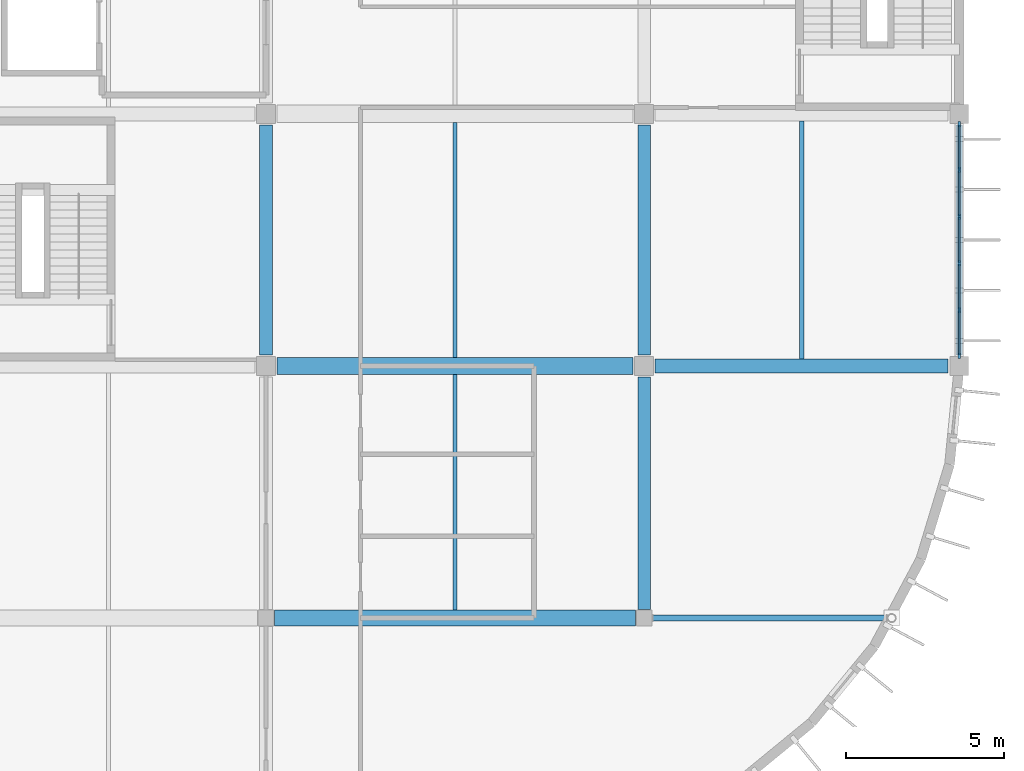
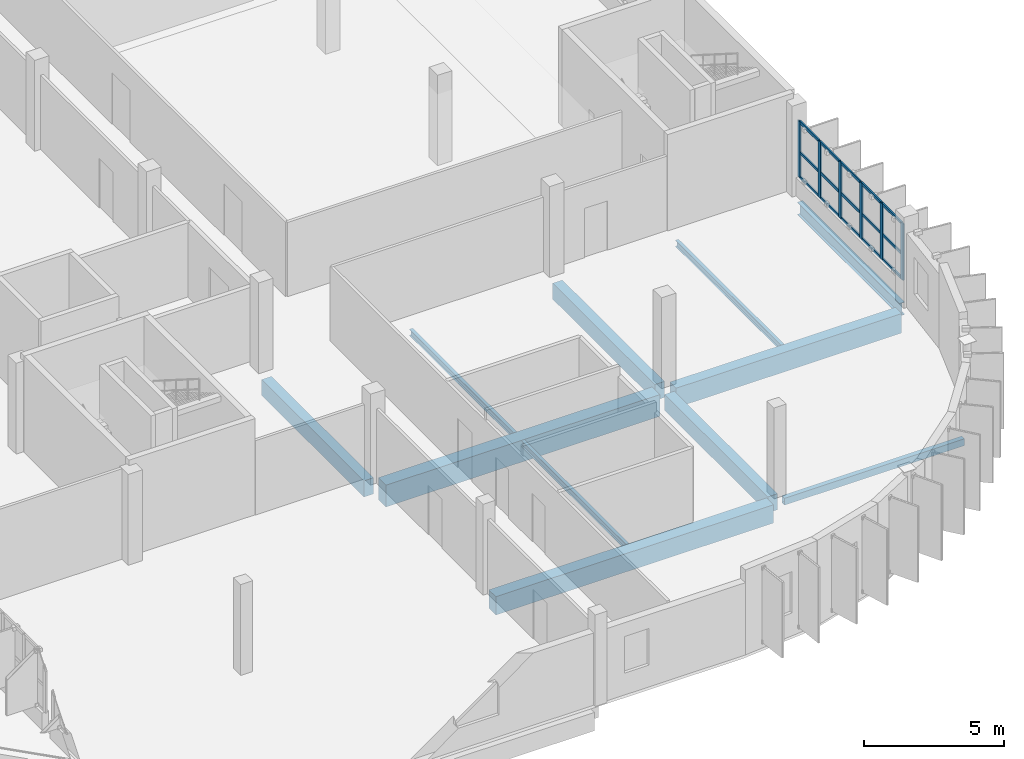
# One storey, part 28 of 66: 21 members, 11 beams, 1 element without a shape of its own.
"""IFC4 building model written with IfcOpenShell, lengths in metres."""

from ifc_helpers import new_model, si_unit, direction, frame, origin, origin_2d, place, context, subcontext, project, spatial, rectangle, hollow_rectangle, i_section, extrude, material, layer, layer_set, material_profile, profile_set, type_object, element, aggregate, save


model = new_model("IFC4")

# Units and contexts
model_context = context("Model", 3, precision=1e-05, world=origin(), true_north=direction((0.0, 1.0)))
body_context = subcontext(model_context, "Body", "Model", "MODEL_VIEW")
ifc_project = project(units=[si_unit("LENGTHUNIT", "METRE"), si_unit("AREAUNIT", "SQUARE_METRE"), si_unit("VOLUMEUNIT", "CUBIC_METRE"), si_unit("PLANEANGLEUNIT", "RADIAN"), si_unit("MASSUNIT", "GRAM", prefix="KILO")], contexts=[model_context])

# Site, building, storey
site_placement = place(None, origin())
site = spatial("IfcSite", under=ifc_project, at=site_placement, CompositionType="ELEMENT")
building_placement = place(site_placement, origin())
building = spatial("IfcBuilding", under=site, at=building_placement, Name="Drelvana Railside Aquatics Centre", CompositionType="ELEMENT")
storey_placement = place(building_placement, frame((0.0, 0.0, 10.199951171875)))
storey = spatial("IfcBuildingStorey", under=building, at=storey_placement, Name="L02", CompositionType="ELEMENT", Elevation=10.199951171875)

# Curtain wall, members
ifc_material_1 = material(Name="Bronze-anodised aluminium curtain wall", Category="aluminium")
ifc_layer = layer(ifc_material_1, 0.175048828125, Name="Bronze-anodised aluminium curtain wall")
ifc_layer_set = layer_set([ifc_layer], Name="Bronze-anodised aluminium curtain wall")
curtain_wall_type = type_object("IfcCurtainWallType", Name="CW-Z6-WING", PredefinedType="NOTDEFINED", material=ifc_layer_set)
curtain_wall_placement = place(storey_placement, origin())
curtain_wall = element("IfcCurtainWall", 1, at=curtain_wall_placement, inside=storey, type_object=curtain_wall_type, Name="Curtain wall CW-06-168", PredefinedType="NOTDEFINED")
ifc_material_2 = material(Name="Bronze-anodised aluminium 6063-T6", Category="aluminium")
ifc_material_profile_1 = material_profile(ifc_material_2, rectangle(XDim=0.06494140625, YDim=0.175048828125, at=origin_2d()), Name="ALU-M 65x175")
ifc_profile_set_1 = profile_set([ifc_material_profile_1], Name="Bronze-anodised aluminium 6063-T6")
member_type_1 = type_object("IfcMemberType", Name="CW-Z6-WING-MUL", PredefinedType="MULLION", material=ifc_profile_set_1)
member_1_placement = place(storey_placement, frame((184.0, 24.326416015625, 0.7939453125), z_axis=(0.0, 0.0, 1.0), x_axis=(-1.0, 0.0, 0.0)))
member_1 = element("IfcMember", 2, at=member_1_placement, type_object=member_type_1, Name="CW-06 mullion 1", PredefinedType="MULLION", context=body_context, shape_type="SweptSolid", body=[
    extrude(rectangle(XDim=0.06494140625, YDim=0.175048828125, at=origin_2d()), origin(), (0.0, 0.0, 1.0), 2.4560546875),
])
member_2_placement = place(storey_placement, frame((184.0, 25.7763671875, 0.7939453125), z_axis=(0.0, 0.0, 1.0), x_axis=(-1.0, 0.0, 0.0)))
member_2 = element("IfcMember", 3, at=member_2_placement, type_object=member_type_1, Name="CW-06 mullion 2", PredefinedType="MULLION", context=body_context, shape_type="SweptSolid", body=[
    extrude(rectangle(XDim=0.06494140625, YDim=0.175048828125, at=origin_2d()), origin(), (0.0, 0.0, 1.0), 2.4560546875),
])
member_3_placement = place(storey_placement, frame((184.0, 27.2587890625, 0.7939453125), z_axis=(0.0, 0.0, 1.0), x_axis=(-1.0, 0.0, 0.0)))
member_3 = element("IfcMember", 4, at=member_3_placement, type_object=member_type_1, Name="CW-06 mullion 3", PredefinedType="MULLION", context=body_context, shape_type="SweptSolid", body=[
    extrude(rectangle(XDim=0.06494140625, YDim=0.175048828125, at=origin_2d()), origin(), (0.0, 0.0, 1.0), 2.4560546875),
])
member_4_placement = place(storey_placement, frame((184.0, 28.7412109375, 0.7939453125), z_axis=(0.0, 0.0, 1.0), x_axis=(-1.0, 0.0, 0.0)))
member_4 = element("IfcMember", 5, at=member_4_placement, type_object=member_type_1, Name="CW-06 mullion 4", PredefinedType="MULLION", context=body_context, shape_type="SweptSolid", body=[
    extrude(rectangle(XDim=0.06494140625, YDim=0.175048828125, at=origin_2d()), origin(), (0.0, 0.0, 1.0), 2.4560546875),
])
member_5_placement = place(storey_placement, frame((184.0, 30.2236328125, 0.7939453125), z_axis=(0.0, 0.0, 1.0), x_axis=(-1.0, 0.0, 0.0)))
member_5 = element("IfcMember", 6, at=member_5_placement, type_object=member_type_1, Name="CW-06 mullion 5", PredefinedType="MULLION", context=body_context, shape_type="SweptSolid", body=[
    extrude(rectangle(XDim=0.06494140625, YDim=0.175048828125, at=origin_2d()), origin(), (0.0, 0.0, 1.0), 2.4560546875),
])
member_6_placement = place(storey_placement, frame((184.0, 31.673583984375, 0.7939453125), z_axis=(0.0, 0.0, 1.0), x_axis=(-1.0, 0.0, 0.0)))
member_6 = element("IfcMember", 7, at=member_6_placement, type_object=member_type_1, Name="CW-06 mullion 6", PredefinedType="MULLION", context=body_context, shape_type="SweptSolid", body=[
    extrude(rectangle(XDim=0.06494140625, YDim=0.175048828125, at=origin_2d()), origin(), (0.0, 0.0, 1.0), 2.4560546875),
])
ifc_material_profile_2 = material_profile(ifc_material_2, rectangle(XDim=0.1201171875, YDim=0.06005859375, at=origin_2d()), Name="ALU-T 60x120")
ifc_profile_set_2 = profile_set([ifc_material_profile_2], Name="Bronze-anodised aluminium 6063-T6")
member_type_2 = type_object("IfcMemberType", Name="CW-Z6-WING-TRN", PredefinedType="USERDEFINED", material=ifc_profile_set_2)
member_7_placement = place(storey_placement, frame((184.0, 24.35400390625, 0.823974609375), z_axis=(0.0, 1.0, 0.0), x_axis=(0.0, 0.0, 1.0)))
member_7 = element("IfcMember", 8, at=member_7_placement, type_object=member_type_2, Name="CW-06 transom 1.1", ObjectType="TRANSOM", PredefinedType="USERDEFINED", context=body_context, shape_type="SweptSolid", body=[
    extrude(rectangle(XDim=0.1201171875, YDim=0.06005859375, at=origin_2d()), origin(), (0.0, 0.0, 1.0), 1.394775390625),
])
member_8_placement = place(storey_placement, frame((184.0, 24.35400390625, 1.899169921875), z_axis=(0.0, 1.0, 0.0), x_axis=(0.0, 0.0, 1.0)))
member_8 = element("IfcMember", 9, at=member_8_placement, type_object=member_type_2, Name="CW-06 transom 1.2", ObjectType="TRANSOM", PredefinedType="USERDEFINED", context=body_context, shape_type="SweptSolid", body=[
    extrude(rectangle(XDim=0.1201171875, YDim=0.06005859375, at=origin_2d()), origin(), (0.0, 0.0, 1.0), 1.394775390625),
])
member_9_placement = place(storey_placement, frame((184.0, 24.35400390625, 3.219970703125), z_axis=(0.0, 1.0, 0.0), x_axis=(0.0, 0.0, 1.0)))
member_9 = element("IfcMember", 10, at=member_9_placement, type_object=member_type_2, Name="CW-06 transom 1.3", ObjectType="TRANSOM", PredefinedType="USERDEFINED", context=body_context, shape_type="SweptSolid", body=[
    extrude(rectangle(XDim=0.1201171875, YDim=0.06005859375, at=origin_2d()), origin(), (0.0, 0.0, 1.0), 1.394775390625),
])
member_10_placement = place(storey_placement, frame((184.0, 25.803955078125, 0.823974609375), z_axis=(0.0, 1.0, 0.0), x_axis=(0.0, 0.0, 1.0)))
member_10 = element("IfcMember", 11, at=member_10_placement, type_object=member_type_2, Name="CW-06 transom 2.1", ObjectType="TRANSOM", PredefinedType="USERDEFINED", context=body_context, shape_type="SweptSolid", body=[
    extrude(rectangle(XDim=0.1201171875, YDim=0.06005859375, at=origin_2d()), origin(), (0.0, 0.0, 1.0), 1.42724609375),
])
member_11_placement = place(storey_placement, frame((184.0, 25.803955078125, 1.899169921875), z_axis=(0.0, 1.0, 0.0), x_axis=(0.0, 0.0, 1.0)))
member_11 = element("IfcMember", 12, at=member_11_placement, type_object=member_type_2, Name="CW-06 transom 2.2", ObjectType="TRANSOM", PredefinedType="USERDEFINED", context=body_context, shape_type="SweptSolid", body=[
    extrude(rectangle(XDim=0.1201171875, YDim=0.06005859375, at=origin_2d()), origin(), (0.0, 0.0, 1.0), 1.42724609375),
])
member_12_placement = place(storey_placement, frame((184.0, 25.803955078125, 3.219970703125), z_axis=(0.0, 1.0, 0.0), x_axis=(0.0, 0.0, 1.0)))
member_12 = element("IfcMember", 13, at=member_12_placement, type_object=member_type_2, Name="CW-06 transom 2.3", ObjectType="TRANSOM", PredefinedType="USERDEFINED", context=body_context, shape_type="SweptSolid", body=[
    extrude(rectangle(XDim=0.1201171875, YDim=0.06005859375, at=origin_2d()), origin(), (0.0, 0.0, 1.0), 1.42724609375),
])
member_13_placement = place(storey_placement, frame((184.0, 27.286376953125, 0.823974609375), z_axis=(0.0, 1.0, 0.0), x_axis=(0.0, 0.0, 1.0)))
member_13 = element("IfcMember", 14, at=member_13_placement, type_object=member_type_2, Name="CW-06 transom 3.1", ObjectType="TRANSOM", PredefinedType="USERDEFINED", context=body_context, shape_type="SweptSolid", body=[
    extrude(rectangle(XDim=0.1201171875, YDim=0.06005859375, at=origin_2d()), origin(), (0.0, 0.0, 1.0), 1.42724609375),
])
member_14_placement = place(storey_placement, frame((184.0, 27.286376953125, 1.899169921875), z_axis=(0.0, 1.0, 0.0), x_axis=(0.0, 0.0, 1.0)))
member_14 = element("IfcMember", 15, at=member_14_placement, type_object=member_type_2, Name="CW-06 transom 3.2", ObjectType="TRANSOM", PredefinedType="USERDEFINED", context=body_context, shape_type="SweptSolid", body=[
    extrude(rectangle(XDim=0.1201171875, YDim=0.06005859375, at=origin_2d()), origin(), (0.0, 0.0, 1.0), 1.42724609375),
])
member_15_placement = place(storey_placement, frame((184.0, 27.286376953125, 3.219970703125), z_axis=(0.0, 1.0, 0.0), x_axis=(0.0, 0.0, 1.0)))
member_15 = element("IfcMember", 16, at=member_15_placement, type_object=member_type_2, Name="CW-06 transom 3.3", ObjectType="TRANSOM", PredefinedType="USERDEFINED", context=body_context, shape_type="SweptSolid", body=[
    extrude(rectangle(XDim=0.1201171875, YDim=0.06005859375, at=origin_2d()), origin(), (0.0, 0.0, 1.0), 1.42724609375),
])
member_16_placement = place(storey_placement, frame((184.0, 28.768798828125, 0.823974609375), z_axis=(0.0, 1.0, 0.0), x_axis=(0.0, 0.0, 1.0)))
member_16 = element("IfcMember", 17, at=member_16_placement, type_object=member_type_2, Name="CW-06 transom 4.1", ObjectType="TRANSOM", PredefinedType="USERDEFINED", context=body_context, shape_type="SweptSolid", body=[
    extrude(rectangle(XDim=0.1201171875, YDim=0.06005859375, at=origin_2d()), origin(), (0.0, 0.0, 1.0), 1.42724609375),
])
member_17_placement = place(storey_placement, frame((184.0, 28.768798828125, 1.899169921875), z_axis=(0.0, 1.0, 0.0), x_axis=(0.0, 0.0, 1.0)))
member_17 = element("IfcMember", 18, at=member_17_placement, type_object=member_type_2, Name="CW-06 transom 4.2", ObjectType="TRANSOM", PredefinedType="USERDEFINED", context=body_context, shape_type="SweptSolid", body=[
    extrude(rectangle(XDim=0.1201171875, YDim=0.06005859375, at=origin_2d()), origin(), (0.0, 0.0, 1.0), 1.42724609375),
])
member_18_placement = place(storey_placement, frame((184.0, 28.768798828125, 3.219970703125), z_axis=(0.0, 1.0, 0.0), x_axis=(0.0, 0.0, 1.0)))
member_18 = element("IfcMember", 19, at=member_18_placement, type_object=member_type_2, Name="CW-06 transom 4.3", ObjectType="TRANSOM", PredefinedType="USERDEFINED", context=body_context, shape_type="SweptSolid", body=[
    extrude(rectangle(XDim=0.1201171875, YDim=0.06005859375, at=origin_2d()), origin(), (0.0, 0.0, 1.0), 1.42724609375),
])
member_19_placement = place(storey_placement, frame((184.0, 30.251220703125, 0.823974609375), z_axis=(0.0, 1.0, 0.0), x_axis=(0.0, 0.0, 1.0)))
member_19 = element("IfcMember", 20, at=member_19_placement, type_object=member_type_2, Name="CW-06 transom 5.1", ObjectType="TRANSOM", PredefinedType="USERDEFINED", context=body_context, shape_type="SweptSolid", body=[
    extrude(rectangle(XDim=0.1201171875, YDim=0.06005859375, at=origin_2d()), origin(), (0.0, 0.0, 1.0), 1.394775390625),
])
member_20_placement = place(storey_placement, frame((184.0, 30.251220703125, 1.899169921875), z_axis=(0.0, 1.0, 0.0), x_axis=(0.0, 0.0, 1.0)))
member_20 = element("IfcMember", 21, at=member_20_placement, type_object=member_type_2, Name="CW-06 transom 5.2", ObjectType="TRANSOM", PredefinedType="USERDEFINED", context=body_context, shape_type="SweptSolid", body=[
    extrude(rectangle(XDim=0.1201171875, YDim=0.06005859375, at=origin_2d()), origin(), (0.0, 0.0, 1.0), 1.394775390625),
])
member_21_placement = place(storey_placement, frame((184.0, 30.251220703125, 3.219970703125), z_axis=(0.0, 1.0, 0.0), x_axis=(0.0, 0.0, 1.0)))
member_21 = element("IfcMember", 22, at=member_21_placement, type_object=member_type_2, Name="CW-06 transom 5.3", ObjectType="TRANSOM", PredefinedType="USERDEFINED", context=body_context, shape_type="SweptSolid", body=[
    extrude(rectangle(XDim=0.1201171875, YDim=0.06005859375, at=origin_2d()), origin(), (0.0, 0.0, 1.0), 1.394775390625),
])
aggregate(curtain_wall, [member_1, member_2, member_3, member_4, member_5, member_6, member_7, member_8, member_9, member_10, member_11, member_12, member_13, member_14, member_15, member_16, member_17, member_18, member_19, member_20, member_21])

# Beams
ifc_material_3 = material(Name="Concrete C40/50", Category="concrete")
ifc_material_profile_3 = material_profile(ifc_material_3, rectangle(XDim=0.39990234375, YDim=0.699951171875, at=origin_2d()), Name="RC 400x700")
ifc_profile_set_3 = profile_set([ifc_material_profile_3], Name="Concrete C40/50")
beam_type_1 = type_object("IfcBeamType", Name="STR-BM-BM-03-RC-400x700", PredefinedType="BEAM", material=ifc_profile_set_3)
beam_1_placement = place(storey_placement, frame((162.0, 24.35009765625, -0.599853515625), z_axis=(0.0, 1.0, 0.0), x_axis=(-1.0, 0.0, 0.0)))
element("IfcBeam", 23, at=beam_1_placement, inside=storey, type_object=beam_type_1, Name="Girder BM-03 (L02)", PredefinedType="BEAM", context=body_context, shape_type="SweptSolid", body=[
    extrude(rectangle(XDim=0.39990234375, YDim=0.699951171875, at=origin_2d()), origin(), (0.0, 0.0, 1.0), 7.2998046875),
])
beam_2_placement = place(storey_placement, frame((174.0, 16.27490234375, -0.599853515625), z_axis=(0.0, 1.0, 0.0), x_axis=(-1.0, 0.0, 0.0)))
element("IfcBeam", 24, at=beam_2_placement, inside=storey, type_object=beam_type_1, Name="Girder BM-03 (L02)", PredefinedType="BEAM", context=body_context, shape_type="SweptSolid", body=[
    extrude(rectangle(XDim=0.39990234375, YDim=0.699951171875, at=origin_2d()), origin(), (0.0, 0.0, 1.0), 7.375),
])
beam_3_placement = place(storey_placement, frame((174.0, 24.35009765625, -0.599853515625), z_axis=(0.0, 1.0, 0.0), x_axis=(-1.0, 0.0, 0.0)))
element("IfcBeam", 25, at=beam_3_placement, inside=storey, type_object=beam_type_1, Name="Girder BM-03 (L02)", PredefinedType="BEAM", context=body_context, shape_type="SweptSolid", body=[
    extrude(rectangle(XDim=0.39990234375, YDim=0.699951171875, at=origin_2d()), origin(), (0.0, 0.0, 1.0), 7.2998046875),
])
ifc_material_profile_4 = material_profile(ifc_material_3, rectangle(XDim=0.449951171875, YDim=0.85009765625, at=origin_2d()), Name="RC 450x850")
ifc_profile_set_4 = profile_set([ifc_material_profile_4], Name="Concrete C40/50")
beam_type_2 = type_object("IfcBeamType", Name="STR-BM-BM-05-RC-450x850", PredefinedType="BEAM", material=ifc_profile_set_4)
beam_4_placement = place(storey_placement, frame((174.35009765625, 24.0, -0.675048828125), z_axis=(1.0, 0.0, 0.0), x_axis=(0.0, 1.0, 0.0)))
element("IfcBeam", 26, at=beam_4_placement, inside=storey, type_object=beam_type_2, Name="Girder BM-05 (L02)", PredefinedType="BEAM", context=body_context, shape_type="SweptSolid", body=[
    extrude(rectangle(XDim=0.449951171875, YDim=0.85009765625, at=origin_2d()), origin(), (0.0, 0.0, 1.0), 9.2998046875),
])
ifc_material_profile_5 = material_profile(ifc_material_3, rectangle(XDim=0.5, YDim=0.800048828125, at=origin_2d()), Name="RC 500x800")
ifc_profile_set_5 = profile_set([ifc_material_profile_5], Name="Concrete C40/50")
beam_type_3 = type_object("IfcBeamType", Name="STR-BM-BM-06-RC-500x800", PredefinedType="SPANDREL", material=ifc_profile_set_5)
beam_5_placement = place(storey_placement, frame((162.27490234375, 16.0, -0.64990234375), z_axis=(1.0, 0.0, 0.0), x_axis=(0.0, 1.0, 0.0)))
element("IfcBeam", 27, at=beam_5_placement, inside=storey, type_object=beam_type_3, Name="Girder BM-06 (L02)", PredefinedType="SPANDREL", context=body_context, shape_type="SweptSolid", body=[
    extrude(rectangle(XDim=0.5, YDim=0.800048828125, at=origin_2d()), origin(), (0.0, 0.0, 1.0), 11.4501953125),
])
ifc_material_profile_6 = material_profile(ifc_material_3, rectangle(XDim=0.550048828125, YDim=0.949951171875, at=origin_2d()), Name="RC 550x950")
ifc_profile_set_6 = profile_set([ifc_material_profile_6], Name="Concrete C40/50")
beam_type_4 = type_object("IfcBeamType", Name="STR-BM-BM-08-RC-550x950", PredefinedType="BEAM", material=ifc_profile_set_6)
beam_6_placement = place(storey_placement, frame((162.35009765625, 24.0, -0.724853515625), z_axis=(1.0, 0.0, 0.0), x_axis=(0.0, 1.0, 0.0)))
element("IfcBeam", 28, at=beam_6_placement, inside=storey, type_object=beam_type_4, Name="Girder BM-08 (L02)", PredefinedType="BEAM", context=body_context, shape_type="SweptSolid", body=[
    extrude(rectangle(XDim=0.550048828125, YDim=0.949951171875, at=origin_2d()), origin(), (0.0, 0.0, 1.0), 11.2998046875),
])
ifc_material_4 = material(Name="Structural steel S355", Category="steel")
ifc_material_profile_7 = material_profile(ifc_material_4, i_section(OverallWidth=0.2099609375, OverallDepth=0.550048828125, WebThickness=0.010986328125, FlangeThickness=0.01708984375, at=origin_2d()), Name="IPE 550")
ifc_profile_set_7 = profile_set([ifc_material_profile_7], Name="Structural steel S355")
beam_type_5 = type_object("IfcBeamType", Name="STR-SBM-SB-04-IPE-550", PredefinedType="SPANDREL", material=ifc_profile_set_7)
beam_7_placement = place(storey_placement, frame((184.0, 24.35009765625, -0.52490234375), z_axis=(0.0, 1.0, 0.0), x_axis=(-1.0, 0.0, 0.0)))
element("IfcBeam", 29, at=beam_7_placement, inside=storey, type_object=beam_type_5, Name="Girder SB-04 (L02)", PredefinedType="SPANDREL", context=body_context, shape_type="SweptSolid", body=[
    extrude(i_section(OverallWidth=0.2099609375, OverallDepth=0.550048828125, WebThickness=0.010986328125, FlangeThickness=0.01708984375, at=origin_2d()), origin(), (0.0, 0.0, 1.0), 7.2998046875),
])
ifc_material_profile_8 = material_profile(ifc_material_4, i_section(OverallWidth=0.135009765625, OverallDepth=0.27001953125, WebThickness=0.006591796875, FlangeThickness=0.01025390625, at=origin_2d()), Name="IPE 270")
ifc_profile_set_8 = profile_set([ifc_material_profile_8], Name="Structural steel S355")
beam_type_6 = type_object("IfcBeamType", Name="STR-SBM-SJ-02-IPE-270", PredefinedType="JOIST", material=ifc_profile_set_8)
beam_8_placement = place(storey_placement, frame((168.0, 16.25, -0.385009765625), z_axis=(0.0, 1.0, 0.0), x_axis=(-1.0, 0.0, 0.0)))
element("IfcBeam", 30, at=beam_8_placement, inside=storey, type_object=beam_type_6, Name="Secondary floor joist SJ-02 (L02)", PredefinedType="JOIST", context=body_context, shape_type="SweptSolid", body=[
    extrude(i_section(OverallWidth=0.135009765625, OverallDepth=0.27001953125, WebThickness=0.006591796875, FlangeThickness=0.01025390625, at=origin_2d()), origin(), (0.0, 0.0, 1.0), 7.47509765625),
])
beam_9_placement = place(storey_placement, frame((168.0, 24.27490234375, -0.385009765625), z_axis=(0.0, 1.0, 0.0), x_axis=(-1.0, 0.0, 0.0)))
element("IfcBeam", 31, at=beam_9_placement, inside=storey, type_object=beam_type_6, Name="Secondary floor joist SJ-02 (L02)", PredefinedType="JOIST", context=body_context, shape_type="SweptSolid", body=[
    extrude(i_section(OverallWidth=0.135009765625, OverallDepth=0.27001953125, WebThickness=0.006591796875, FlangeThickness=0.01025390625, at=origin_2d()), origin(), (0.0, 0.0, 1.0), 7.4501953125),
])
beam_10_placement = place(storey_placement, frame((179.0, 24.22509765625, -0.385009765625), z_axis=(0.0, 1.0, 0.0), x_axis=(-1.0, 0.0, 0.0)))
element("IfcBeam", 32, at=beam_10_placement, inside=storey, type_object=beam_type_6, Name="Secondary floor joist SJ-02 (L02)", PredefinedType="JOIST", context=body_context, shape_type="SweptSolid", body=[
    extrude(i_section(OverallWidth=0.135009765625, OverallDepth=0.27001953125, WebThickness=0.006591796875, FlangeThickness=0.01025390625, at=origin_2d()), origin(), (0.0, 0.0, 1.0), 7.5498046875),
])
ifc_material_profile_9 = material_profile(ifc_material_4, hollow_rectangle(XDim=0.199951171875, YDim=0.300048828125, WallThickness=0.011962890625, at=origin_2d()), Name="RHS 300x200x12")
ifc_profile_set_9 = profile_set([ifc_material_profile_9], Name="Structural steel S355")
beam_type_7 = type_object("IfcBeamType", Name="STR-SBM-SP-02-RHS-300x200x12", PredefinedType="SPANDREL", material=ifc_profile_set_9)
beam_11_placement = place(storey_placement, frame((174.27490234375, 16.0, -0.39990234375), z_axis=(1.0, 0.0, 0.0), x_axis=(0.0, 1.0, 0.0)))
element("IfcBeam", 33, at=beam_11_placement, inside=storey, type_object=beam_type_7, Name="Girder SP-02 (L02)", PredefinedType="SPANDREL", context=body_context, shape_type="SweptSolid", body=[
    extrude(hollow_rectangle(XDim=0.199951171875, YDim=0.300048828125, WallThickness=0.011962890625, at=origin_2d()), origin(), (0.0, 0.0, 1.0), 7.423095703125),
])

save(model, "model.ifc")
